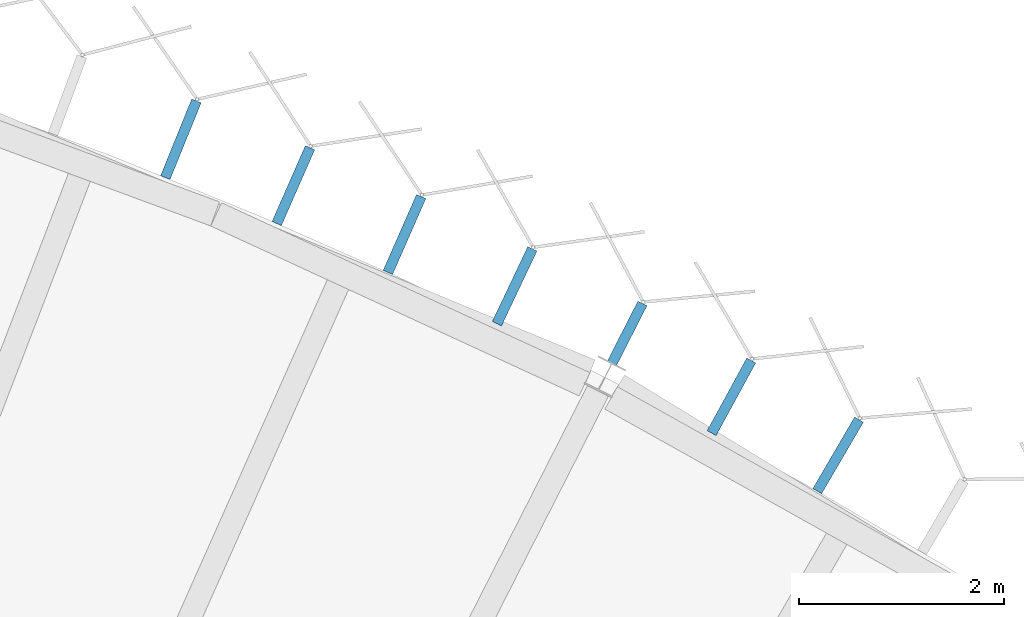
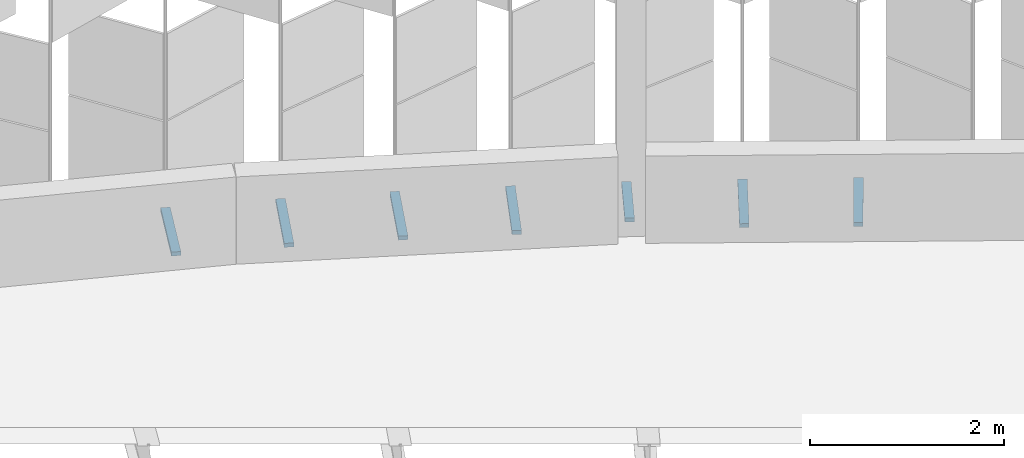
# One storey, part 178 of 198: 7 discrete accessories.
"""IFC4 building model written with IfcOpenShell, lengths in metres."""

import ifcopenshell
import ifcopenshell.guid

model = None  # the IFC model being written
_history = None  # IfcOwnerHistory: only IFC2X3 demands one
_inside = {}  # id of a spatial element -> (the spatial element, [elements in it])
_under = {}  # id of a project, library or spatial element -> (it, [spatial elements below it])
_declared = {}  # id of a project -> (the project, [libraries it declares])
_typed = {}  # id of a type object -> (the type object, [elements of that type])
_made_of = {}  # id of a material, layer set ... -> (it, [elements and type objects made of it])


def new_model(schema):
    """Start an empty IFC model of exactly this schema.

    Asked for "IFC4X3", IfcOpenShell would pick the latest addendum, in which some entities
    have other attributes; the version numbers below select the first issue.
    IFC2X3 requires an IfcOwnerHistory on every rooted entity: one is made here for all.
    """
    global model, _history
    if schema == "IFC4X3":
        model = ifcopenshell.file(schema_version=(4, 3, 0, 0))
    else:
        model = ifcopenshell.file(schema=schema)
    _inside.clear()
    _under.clear()
    _declared.clear()
    _typed.clear()
    _made_of.clear()
    _history = None
    if model.schema == "IFC2X3":
        org = make("IfcOrganization", Name="unknown")
        user = make(
            "IfcPersonAndOrganization",
            ThePerson=make("IfcPerson", FamilyName="unknown"),
            TheOrganization=org,
        )
        app = make(
            "IfcApplication",
            ApplicationDeveloper=org,
            Version="unknown",
            ApplicationFullName="unknown",
            ApplicationIdentifier="unknown",
        )
        _history = make(
            "IfcOwnerHistory",
            OwningUser=user,
            OwningApplication=app,
            ChangeAction="ADDED",
            CreationDate=0,
        )
    return model


def make(cls, **values):
    """One entity of the class cls with the attributes given. An attribute that is None is left unset."""
    return model.create_entity(
        cls, **{name: value for name, value in values.items() if value is not None}
    )


def rooted(cls, **values):
    """An entity with a GlobalId (a new one), such as an element, a storey or a relation."""
    return make(cls, GlobalId=ifcopenshell.guid.new(), OwnerHistory=_history, **values)


def si_unit(unit_type, name, prefix=None):
    """IfcSIUnit, for example si_unit("LENGTHUNIT", "METRE", prefix="MILLI")."""
    return make("IfcSIUnit", UnitType=unit_type, Prefix=prefix, Name=name)


def assignment(units):
    """IfcUnitAssignment: the units of a project."""
    return None if units is None else make("IfcUnitAssignment", Units=units)


def point(xyz):
    """IfcCartesianPoint."""
    return None if xyz is None else make("IfcCartesianPoint", Coordinates=xyz)


def direction(xyz):
    """IfcDirection."""
    return None if xyz is None else make("IfcDirection", DirectionRatios=xyz)


def frame(location, z_axis=None, x_axis=None):
    """IfcAxis2Placement3D, a coordinate frame: its origin and axes. An axis left out is left unset."""
    return make(
        "IfcAxis2Placement3D",
        Location=point(location),
        Axis=direction(z_axis),
        RefDirection=direction(x_axis),
    )


def frame_2d(location, x_axis=None):
    """IfcAxis2Placement2D, a coordinate frame in the plane: its origin and x axis."""
    return make(
        "IfcAxis2Placement2D", Location=point(location), RefDirection=direction(x_axis)
    )


def origin():
    """The frame at (0, 0, 0) with its axes left unset."""
    return frame((0.0, 0.0, 0.0))


def origin_2d():
    """The frame at (0, 0) in the plane with its x axis left unset."""
    return frame_2d((0.0, 0.0))


def place(relative_to, where):
    """IfcLocalPlacement: puts the frame where relative to a parent placement (None: the world)."""
    return make(
        "IfcLocalPlacement", PlacementRelTo=relative_to, RelativePlacement=where
    )


def context(
    kind, dimensions, precision=None, world=None, true_north=None, identifier=None
):
    """IfcGeometricRepresentationContext, for example the 3D "Model" context."""
    return make(
        "IfcGeometricRepresentationContext",
        ContextIdentifier=identifier,
        ContextType=kind,
        CoordinateSpaceDimension=dimensions,
        Precision=precision,
        WorldCoordinateSystem=world,
        TrueNorth=true_north,
    )


def subcontext(parent, identifier, kind, view, scale=None):
    """IfcGeometricRepresentationSubContext, for example "Body" below "Model"."""
    return make(
        "IfcGeometricRepresentationSubContext",
        ContextIdentifier=identifier,
        ContextType=kind,
        ParentContext=parent,
        TargetScale=scale,
        TargetView=view,
    )


def project(units=None, contexts=None):
    """IfcProject with its units and contexts."""
    return rooted(
        "IfcProject",
        Name="project",
        RepresentationContexts=contexts,
        UnitsInContext=assignment(units),
    )


def spatial(cls, under=None, at=None, **own):
    """A site, building, storey or space (cls), placed at a placement, below another one or the project."""
    s = rooted(cls, ObjectPlacement=at, **own)
    if under is not None:
        _under.setdefault(under.id(), (under, []))[1].append(s)
    return s


def profile(cls, at=None, kind="AREA", **sizes):
    """A parametric profile (cls). Its sizes go by their IFC names, for example OverallWidth=200.0."""
    return make(cls, ProfileType=kind, Position=at, **sizes)


def rectangle(**sizes):
    """IfcRectangleProfileDef."""
    return profile("IfcRectangleProfileDef", **sizes)


def extrude(swept, where, along, depth):
    """IfcExtrudedAreaSolid: the profile swept, set in the frame where, extruded along a direction by depth."""
    return make(
        "IfcExtrudedAreaSolid",
        SweptArea=swept,
        Position=where,
        ExtrudedDirection=direction(along),
        Depth=depth,
    )


def shape(context_of_items, identifier, shape_type, items):
    """IfcShapeRepresentation: the items that make up one representation, for example the "Body"."""
    return make(
        "IfcShapeRepresentation",
        ContextOfItems=context_of_items,
        RepresentationIdentifier=identifier,
        RepresentationType=shape_type,
        Items=items,
    )


def material(Name=None, Category=None):
    """IfcMaterial."""
    return make("IfcMaterial", Name=Name, Category=Category)


def made_of(thing, what):
    """Note that an element or type object is made of a material, layer set ...; save() writes the relation."""
    if what is not None:
        _made_of.setdefault(what.id(), (what, []))[1].append(thing)
    return thing


def type_object(cls, material=None, **own):
    """A type object (cls), such as IfcWallType, which elements share."""
    return made_of(rooted(cls, **own), material)


def element(
    cls,
    number,
    at=None,
    inside=None,
    cuts=None,
    type_object=None,
    material=None,
    context=None,
    identifier="Body",
    shape_type=None,
    held_by="IfcProductDefinitionShape",
    body=None,
    shapes=None,
    **own,
):
    """One element of the class cls, such as IfcWall. Its Tag is "e" and its number.

    at: its placement. inside: the storey or other place that contains it. cuts: it is an
    opening in that element (IfcRelVoidsElement). A single representation is given by context,
    identifier, shape_type and body (its items); several are given by shapes. held_by: the class
    of the entity that holds the representations. save() writes the other relations.
    """
    e = rooted(cls, Tag="e%d" % number, ObjectPlacement=at, **own)
    if body is not None:
        shapes = [shape(context, identifier, shape_type, body)]
    if shapes is not None:
        e.Representation = make(held_by, Representations=shapes)
    if inside is not None:
        _inside.setdefault(inside.id(), (inside, []))[1].append(e)
    if cuts is not None:
        rooted(
            "IfcRelVoidsElement", RelatingBuildingElement=cuts, RelatedOpeningElement=e
        )
    if type_object is not None:
        _typed.setdefault(type_object.id(), (type_object, []))[1].append(e)
    return made_of(e, material)


def aggregate(whole, parts):
    """IfcRelAggregates: a whole, such as a stair, and the parts it consists of."""
    return rooted("IfcRelAggregates", RelatingObject=whole, RelatedObjects=parts)


def save(model, path):
    """Write the relations noted so far, then the file.

    IfcRelAggregates (storeys below a building ...), IfcRelContainedInSpatialStructure (elements
    in a storey), IfcRelDefinesByType, IfcRelAssociatesMaterial and IfcRelDeclares: one each for
    every whole, place, type object, material and project.
    """
    for whole, parts in _under.values():
        aggregate(whole, parts)
    for where, things in _inside.values():
        rooted(
            "IfcRelContainedInSpatialStructure",
            RelatedElements=things,
            RelatingStructure=where,
        )
    for kind, things in _typed.values():
        rooted("IfcRelDefinesByType", RelatedObjects=things, RelatingType=kind)
    for what, things in _made_of.values():
        rooted("IfcRelAssociatesMaterial", RelatedObjects=things, RelatingMaterial=what)
    for by, libraries in _declared.values():
        rooted("IfcRelDeclares", RelatingContext=by, RelatedDefinitions=libraries)
    model.write(path)


model = new_model("IFC4")

# Units and contexts
model_context = context("Model", 3, precision=1e-05, world=origin(), true_north=direction((0.0, 1.0)))
body_context = subcontext(model_context, "Body", "Model", "MODEL_VIEW")
ifc_project = project(units=[si_unit("LENGTHUNIT", "METRE"), si_unit("AREAUNIT", "SQUARE_METRE"), si_unit("VOLUMEUNIT", "CUBIC_METRE"), si_unit("PLANEANGLEUNIT", "RADIAN"), si_unit("MASSUNIT", "GRAM", prefix="KILO")], contexts=[model_context])

# Site, building, storey
site_placement = place(None, origin())
site = spatial("IfcSite", under=ifc_project, at=site_placement, CompositionType="ELEMENT")
building_placement = place(site_placement, origin())
building = spatial("IfcBuilding", under=site, at=building_placement, Name="Parallax Yard Mobility Hub", CompositionType="ELEMENT")
storey_placement = place(building_placement, frame((0.0, 0.0, 6.60009765625)))
storey = spatial("IfcBuildingStorey", under=building, at=storey_placement, Name="L02", CompositionType="ELEMENT", Elevation=6.60009765625)

# Discrete accessories
ifc_material = material(Name="Steel ASTM A36, hot-dip galvanised", Category="steel")
discrete_accessory_type = type_object("IfcDiscreteAccessoryType", Name="Hinge bracket plate 100x50", PredefinedType="BRACKET", material=ifc_material)
for number, where, z_axis, x_axis, name in (
    (1, (198.6083984375, 136.0107421875, -0.02490234375), (0.0, 0.0, 1.0), (0.504116180263, 0.863635847332, 0.0), "Hinge bracket plate bay 47.6 level L02"),
    (2, (197.5673828125, 136.58251953125, -0.02490234375), (0.0, 0.0, 1.0), (0.479249543752, 0.877678685404, 0.0), "Hinge bracket plate bay 47.7 level L02"),
):
    element("IfcDiscreteAccessory", number, at=place(storey_placement, frame(where, z_axis=z_axis, x_axis=x_axis)), inside=storey, type_object=discrete_accessory_type, Name=name, PredefinedType="BRACKET", context=body_context, shape_type="SweptSolid", body=[
        extrude(rectangle(XDim=0.80810546875, YDim=0.10009765625, at=origin_2d()), origin(), (0.0, 0.0, 1.0), 0.050048828125),
    ])
discrete_accessory_placement = place(storey_placement, frame((196.5498046875, 137.201171875, -0.02490234375), z_axis=(0.0, 0.0, 1.0), x_axis=(0.45399049974, 0.891006524188, 0.0)))
element("IfcDiscreteAccessory", 3, at=discrete_accessory_placement, inside=storey, type_object=discrete_accessory_type, Name="Hinge bracket plate bay 48.1 level L02", PredefinedType="BRACKET", context=body_context, shape_type="SweptSolid", body=[
    extrude(rectangle(XDim=0.654541015625, YDim=0.10009765625, at=origin_2d()), origin(), (0.0, 0.0, 1.0), 0.050048828125),
])
for number, where, z_axis, x_axis, name in (
    (4, (195.451171875, 137.660888671875, -0.02490234375), (0.0, 0.0, 1.0), (0.428361158107, 0.903607612974, 0.0), "Hinge bracket plate bay 48.2 level L02"),
    (5, (194.376708984375, 138.166748046875, -0.02490234375), (0.0, 0.0, 1.0), (0.402384021242, 0.915470971385, 0.0), "Hinge bracket plate bay 48.3 level L02"),
    (6, (193.2919921875, 138.6435546875, -0.02490234375), (0.0, 0.0, 1.0), (0.402384021242, 0.915470971385, 0.0), "Hinge bracket plate bay 48.4 level L02"),
    (7, (192.194091796875, 139.095947265625, -0.02490234375), (0.0, 0.0, 1.0), (0.37607710252, 0.92658837299, 0.0), "Hinge bracket plate bay 48.5 level L02"),
):
    element("IfcDiscreteAccessory", number, at=place(storey_placement, frame(where, z_axis=z_axis, x_axis=x_axis)), inside=storey, type_object=discrete_accessory_type, Name=name, PredefinedType="BRACKET", context=body_context, shape_type="SweptSolid", body=[
        extrude(rectangle(XDim=0.80810546875, YDim=0.10009765625, at=origin_2d()), origin(), (0.0, 0.0, 1.0), 0.050048828125),
    ])

save(model, "model.ifc")
